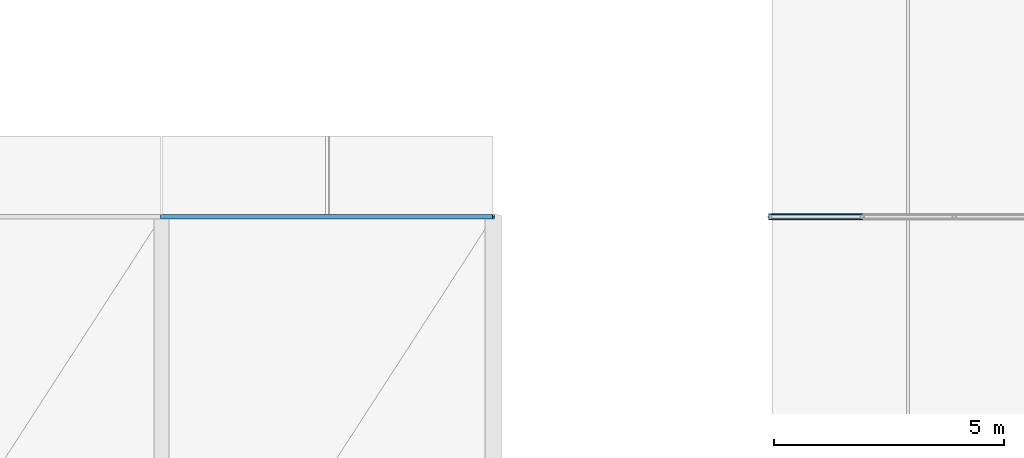
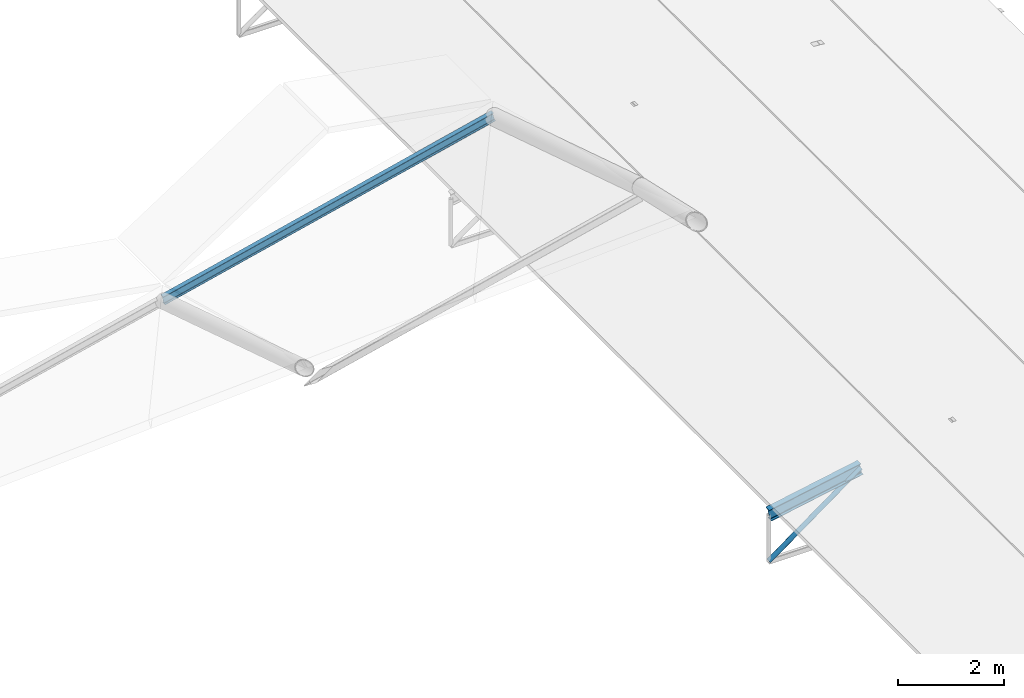
# One storey, part 27 of 54: 3 members.
"""IFC4 building model written with IfcOpenShell, lengths in metres."""

import ifcopenshell
import ifcopenshell.guid

model = None  # the IFC model being written
_history = None  # IfcOwnerHistory: only IFC2X3 demands one
_inside = {}  # id of a spatial element -> (the spatial element, [elements in it])
_under = {}  # id of a project, library or spatial element -> (it, [spatial elements below it])
_declared = {}  # id of a project -> (the project, [libraries it declares])
_typed = {}  # id of a type object -> (the type object, [elements of that type])
_made_of = {}  # id of a material, layer set ... -> (it, [elements and type objects made of it])


def new_model(schema):
    """Start an empty IFC model of exactly this schema.

    Asked for "IFC4X3", IfcOpenShell would pick the latest addendum, in which some entities
    have other attributes; the version numbers below select the first issue.
    IFC2X3 requires an IfcOwnerHistory on every rooted entity: one is made here for all.
    """
    global model, _history
    if schema == "IFC4X3":
        model = ifcopenshell.file(schema_version=(4, 3, 0, 0))
    else:
        model = ifcopenshell.file(schema=schema)
    _inside.clear()
    _under.clear()
    _declared.clear()
    _typed.clear()
    _made_of.clear()
    _history = None
    if model.schema == "IFC2X3":
        org = make("IfcOrganization", Name="unknown")
        user = make(
            "IfcPersonAndOrganization",
            ThePerson=make("IfcPerson", FamilyName="unknown"),
            TheOrganization=org,
        )
        app = make(
            "IfcApplication",
            ApplicationDeveloper=org,
            Version="unknown",
            ApplicationFullName="unknown",
            ApplicationIdentifier="unknown",
        )
        _history = make(
            "IfcOwnerHistory",
            OwningUser=user,
            OwningApplication=app,
            ChangeAction="ADDED",
            CreationDate=0,
        )
    return model


def make(cls, **values):
    """One entity of the class cls with the attributes given. An attribute that is None is left unset."""
    return model.create_entity(
        cls, **{name: value for name, value in values.items() if value is not None}
    )


def rooted(cls, **values):
    """An entity with a GlobalId (a new one), such as an element, a storey or a relation."""
    return make(cls, GlobalId=ifcopenshell.guid.new(), OwnerHistory=_history, **values)


def si_unit(unit_type, name, prefix=None):
    """IfcSIUnit, for example si_unit("LENGTHUNIT", "METRE", prefix="MILLI")."""
    return make("IfcSIUnit", UnitType=unit_type, Prefix=prefix, Name=name)


def derived_unit(unit_type, elements):
    """IfcDerivedUnit: a product of units, each with its exponent."""
    return make(
        "IfcDerivedUnit",
        Elements=[
            make("IfcDerivedUnitElement", Unit=unit, Exponent=power)
            for unit, power in elements
        ],
        UnitType=unit_type,
    )


def assignment(units):
    """IfcUnitAssignment: the units of a project."""
    return None if units is None else make("IfcUnitAssignment", Units=units)


def point(xyz):
    """IfcCartesianPoint."""
    return None if xyz is None else make("IfcCartesianPoint", Coordinates=xyz)


def direction(xyz):
    """IfcDirection."""
    return None if xyz is None else make("IfcDirection", DirectionRatios=xyz)


def frame(location, z_axis=None, x_axis=None):
    """IfcAxis2Placement3D, a coordinate frame: its origin and axes. An axis left out is left unset."""
    return make(
        "IfcAxis2Placement3D",
        Location=point(location),
        Axis=direction(z_axis),
        RefDirection=direction(x_axis),
    )


def frame_2d(location, x_axis=None):
    """IfcAxis2Placement2D, a coordinate frame in the plane: its origin and x axis."""
    return make(
        "IfcAxis2Placement2D", Location=point(location), RefDirection=direction(x_axis)
    )


def origin():
    """The frame at (0, 0, 0) with its axes left unset."""
    return frame((0.0, 0.0, 0.0))


def origin_2d():
    """The frame at (0, 0) in the plane with its x axis left unset."""
    return frame_2d((0.0, 0.0))


def place(relative_to, where):
    """IfcLocalPlacement: puts the frame where relative to a parent placement (None: the world)."""
    return make(
        "IfcLocalPlacement", PlacementRelTo=relative_to, RelativePlacement=where
    )


def context(
    kind, dimensions, precision=None, world=None, true_north=None, identifier=None
):
    """IfcGeometricRepresentationContext, for example the 3D "Model" context."""
    return make(
        "IfcGeometricRepresentationContext",
        ContextIdentifier=identifier,
        ContextType=kind,
        CoordinateSpaceDimension=dimensions,
        Precision=precision,
        WorldCoordinateSystem=world,
        TrueNorth=true_north,
    )


def subcontext(parent, identifier, kind, view, scale=None):
    """IfcGeometricRepresentationSubContext, for example "Body" below "Model"."""
    return make(
        "IfcGeometricRepresentationSubContext",
        ContextIdentifier=identifier,
        ContextType=kind,
        ParentContext=parent,
        TargetScale=scale,
        TargetView=view,
    )


def project(units=None, contexts=None):
    """IfcProject with its units and contexts."""
    return rooted(
        "IfcProject",
        Name="project",
        RepresentationContexts=contexts,
        UnitsInContext=assignment(units),
    )


def spatial(cls, under=None, at=None, **own):
    """A site, building, storey or space (cls), placed at a placement, below another one or the project."""
    s = rooted(cls, ObjectPlacement=at, **own)
    if under is not None:
        _under.setdefault(under.id(), (under, []))[1].append(s)
    return s


def profile(cls, at=None, kind="AREA", **sizes):
    """A parametric profile (cls). Its sizes go by their IFC names, for example OverallWidth=200.0."""
    return make(cls, ProfileType=kind, Position=at, **sizes)


def hollow_circle(**sizes):
    """IfcCircleHollowProfileDef."""
    return profile("IfcCircleHollowProfileDef", **sizes)


def i_section(**sizes):
    """IfcIShapeProfileDef."""
    return profile("IfcIShapeProfileDef", **sizes)


def extrude(swept, where, along, depth):
    """IfcExtrudedAreaSolid: the profile swept, set in the frame where, extruded along a direction by depth."""
    return make(
        "IfcExtrudedAreaSolid",
        SweptArea=swept,
        Position=where,
        ExtrudedDirection=direction(along),
        Depth=depth,
    )


def shape(context_of_items, identifier, shape_type, items):
    """IfcShapeRepresentation: the items that make up one representation, for example the "Body"."""
    return make(
        "IfcShapeRepresentation",
        ContextOfItems=context_of_items,
        RepresentationIdentifier=identifier,
        RepresentationType=shape_type,
        Items=items,
    )


def material(Name=None, Category=None):
    """IfcMaterial."""
    return make("IfcMaterial", Name=Name, Category=Category)


def material_profile(
    of_material, cross_section, Name=None, Category=None, Priority=None
):
    """IfcMaterialProfile: a cross section and its material."""
    return make(
        "IfcMaterialProfile",
        Name=Name,
        Material=of_material,
        Profile=cross_section,
        Priority=Priority,
        Category=Category,
    )


def profile_set(profiles, Name=None, composite=None):
    """IfcMaterialProfileSet."""
    return make(
        "IfcMaterialProfileSet",
        Name=Name,
        MaterialProfiles=profiles,
        CompositeProfile=composite,
    )


def made_of(thing, what):
    """Note that an element or type object is made of a material, layer set ...; save() writes the relation."""
    if what is not None:
        _made_of.setdefault(what.id(), (what, []))[1].append(thing)
    return thing


def type_object(cls, material=None, **own):
    """A type object (cls), such as IfcWallType, which elements share."""
    return made_of(rooted(cls, **own), material)


def element(
    cls,
    number,
    at=None,
    inside=None,
    cuts=None,
    type_object=None,
    material=None,
    context=None,
    identifier="Body",
    shape_type=None,
    held_by="IfcProductDefinitionShape",
    body=None,
    shapes=None,
    **own,
):
    """One element of the class cls, such as IfcWall. Its Tag is "e" and its number.

    at: its placement. inside: the storey or other place that contains it. cuts: it is an
    opening in that element (IfcRelVoidsElement). A single representation is given by context,
    identifier, shape_type and body (its items); several are given by shapes. held_by: the class
    of the entity that holds the representations. save() writes the other relations.
    """
    e = rooted(cls, Tag="e%d" % number, ObjectPlacement=at, **own)
    if body is not None:
        shapes = [shape(context, identifier, shape_type, body)]
    if shapes is not None:
        e.Representation = make(held_by, Representations=shapes)
    if inside is not None:
        _inside.setdefault(inside.id(), (inside, []))[1].append(e)
    if cuts is not None:
        rooted(
            "IfcRelVoidsElement", RelatingBuildingElement=cuts, RelatedOpeningElement=e
        )
    if type_object is not None:
        _typed.setdefault(type_object.id(), (type_object, []))[1].append(e)
    return made_of(e, material)


def aggregate(whole, parts):
    """IfcRelAggregates: a whole, such as a stair, and the parts it consists of."""
    return rooted("IfcRelAggregates", RelatingObject=whole, RelatedObjects=parts)


def save(model, path):
    """Write the relations noted so far, then the file.

    IfcRelAggregates (storeys below a building ...), IfcRelContainedInSpatialStructure (elements
    in a storey), IfcRelDefinesByType, IfcRelAssociatesMaterial and IfcRelDeclares: one each for
    every whole, place, type object, material and project.
    """
    for whole, parts in _under.values():
        aggregate(whole, parts)
    for where, things in _inside.values():
        rooted(
            "IfcRelContainedInSpatialStructure",
            RelatedElements=things,
            RelatingStructure=where,
        )
    for kind, things in _typed.values():
        rooted("IfcRelDefinesByType", RelatedObjects=things, RelatingType=kind)
    for what, things in _made_of.values():
        rooted("IfcRelAssociatesMaterial", RelatedObjects=things, RelatingMaterial=what)
    for by, libraries in _declared.values():
        rooted("IfcRelDeclares", RelatingContext=by, RelatedDefinitions=libraries)
    model.write(path)


model = new_model("IFC4")

# Units and contexts
model_context = context("Model", 3, precision=1e-05, world=origin(), true_north=direction((0.0, 1.0)))
body_context = subcontext(model_context, "Body", "Model", "MODEL_VIEW")
ifc_project = project(units=[si_unit("LENGTHUNIT", "METRE"), si_unit("AREAUNIT", "SQUARE_METRE"), si_unit("VOLUMEUNIT", "CUBIC_METRE"), si_unit("PLANEANGLEUNIT", "RADIAN"), si_unit("MASSUNIT", "GRAM", prefix="KILO"), derived_unit("THERMALTRANSMITTANCEUNIT", [(si_unit("POWERUNIT", "WATT"), 1), (si_unit("LENGTHUNIT", "METRE"), -2), (si_unit("THERMODYNAMICTEMPERATUREUNIT", "KELVIN"), -1)])], contexts=[model_context])

# Site, building, storey
site_placement = place(None, origin())
site = spatial("IfcSite", under=ifc_project, at=site_placement, CompositionType="ELEMENT")
building_placement = place(site_placement, origin())
building = spatial("IfcBuilding", under=site, at=building_placement, Name="Keldorne Ridge Multi-Sports Centre", CompositionType="ELEMENT")
storey_placement = place(building_placement, frame((0.0, 0.0, 22.199951171875)))
storey = spatial("IfcBuildingStorey", under=building, at=storey_placement, Name="ROOF", CompositionType="ELEMENT", Elevation=22.199951171875)

# Members
ifc_material = material(Name="Steel S355", Category="steel")
ifc_material_profile_1 = material_profile(ifc_material, i_section(OverallWidth=0.10009765625, OverallDepth=0.199951171875, WebThickness=0.005615234375, FlangeThickness=0.008544921875, FilletRadius=0.011962890625, at=origin_2d()), Name="IPE 200")
ifc_profile_set_1 = profile_set([ifc_material_profile_1], Name="Steel S355")
member_type_1 = type_object("IfcMemberType", Name="MEM-PR-01", PredefinedType="PURLIN", material=ifc_profile_set_1)
member_1_placement = place(storey_placement, frame((70.800048828125, 54.0, -3.079833984375), z_axis=(0.972632545932, 0.0, 0.232348726259), x_axis=(0.0, 1.0, 0.0)))
element("IfcMember", 1, at=member_1_placement, inside=storey, type_object=member_type_1, Name="Main Hall roof purlin 10.9", PredefinedType="PURLIN", context=body_context, shape_type="SweptSolid", body=[
    extrude(i_section(OverallWidth=0.10009765625, OverallDepth=0.199951171875, WebThickness=0.005615234375, FlangeThickness=0.008544921875, FilletRadius=0.011962890625, at=origin_2d()), origin(), (0.0, 0.0, 1.0), 7.402587890625),
])
ifc_material_profile_2 = material_profile(ifc_material, i_section(OverallWidth=0.135009765625, OverallDepth=0.27001953125, WebThickness=0.006591796875, FlangeThickness=0.01025390625, FilletRadius=0.014892578125, at=origin_2d()), Name="IPE 270")
ifc_profile_set_2 = profile_set([ifc_material_profile_2], Name="Steel S355")
member_type_2 = type_object("IfcMemberType", Name="MEM-RF-02", PredefinedType="RAFTER", material=ifc_profile_set_2)
member_2_placement = place(storey_placement, frame((84.0, 54.0, -12.639892578125), z_axis=(0.982435006317, 0.0, 0.186605086649), x_axis=(0.0, 1.0, 0.0)))
element("IfcMember", 2, at=member_2_placement, inside=storey, type_object=member_type_2, Name="Public Passage bowstring arch top chord 07.1", PredefinedType="RAFTER", context=body_context, shape_type="SweptSolid", body=[
    extrude(i_section(OverallWidth=0.135009765625, OverallDepth=0.27001953125, WebThickness=0.006591796875, FlangeThickness=0.01025390625, FilletRadius=0.014892578125, at=origin_2d()), origin(), (0.0, 0.0, 1.0), 2.03564453125),
])
ifc_material_profile_3 = material_profile(ifc_material, hollow_circle(Radius=0.05078125, WallThickness=0.00634765625, at=origin_2d()), Name="CHS 101.6x6.3")
ifc_profile_set_3 = profile_set([ifc_material_profile_3], Name="Steel S355")
member_type_3 = type_object("IfcMemberType", Name="MEM-TD-05", PredefinedType="BRACE", material=ifc_profile_set_3)
member_3_placement = place(storey_placement, frame((84.0, 54.0, -13.719970703125), z_axis=(0.8076945033, 0.0, 0.589601212125), x_axis=(0.0, 1.0, 0.0)))
element("IfcMember", 3, at=member_3_placement, inside=storey, type_object=member_type_3, Name="Public Passage bowstring web diagonal 07.1", PredefinedType="BRACE", context=body_context, shape_type="SweptSolid", body=[
    extrude(hollow_circle(Radius=0.05078125, WallThickness=0.00634765625, at=origin_2d()), origin(), (0.0, 0.0, 1.0), 2.47607421875),
])

save(model, "model.ifc")
